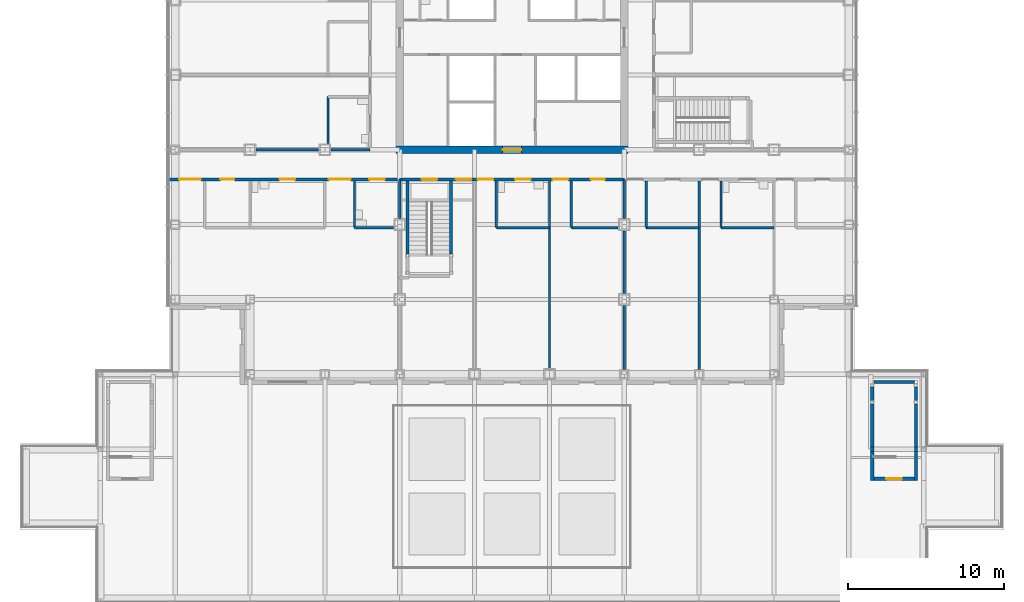
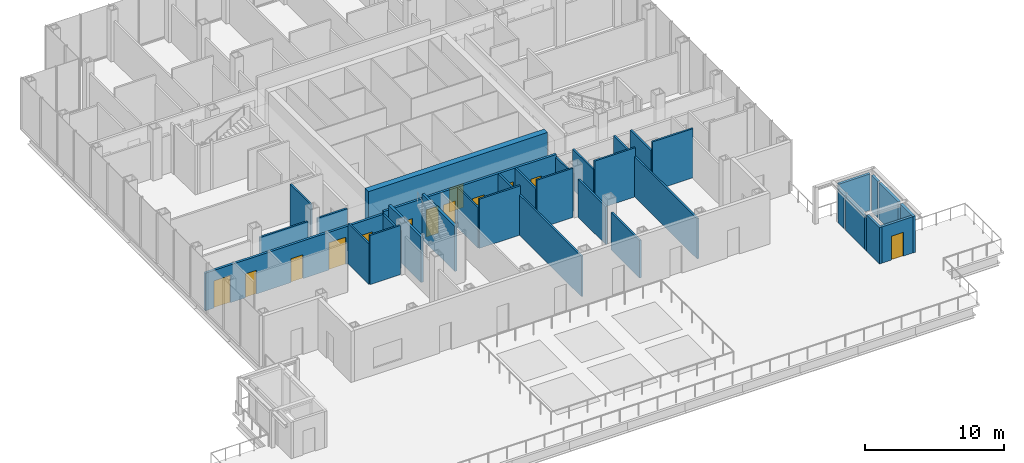
# One storey, part 16 of 24: 34 walls, 13 doors, 13 openings.
"""IFC4 building model written with IfcOpenShell, lengths in metres."""

from ifc_helpers import new_model, si_unit, direction, frame, frame_2d, origin, place, context, subcontext, project, spatial, rectangle, extrude, material, layer, layer_set, type_object, element, fill, save


model = new_model("IFC4")

# Units and contexts
model_context = context("Model", 3, precision=1e-05, world=origin(), true_north=direction((0.0, 1.0)))
body_context = subcontext(model_context, "Body", "Model", "MODEL_VIEW")
ifc_project = project(units=[si_unit("LENGTHUNIT", "METRE"), si_unit("AREAUNIT", "SQUARE_METRE"), si_unit("VOLUMEUNIT", "CUBIC_METRE"), si_unit("PLANEANGLEUNIT", "RADIAN"), si_unit("MASSUNIT", "GRAM", prefix="KILO")], contexts=[model_context])

# Site, building, storey
site_placement = place(None, origin())
site = spatial("IfcSite", under=ifc_project, at=site_placement, CompositionType="ELEMENT")
building_placement = place(site_placement, origin())
building = spatial("IfcBuilding", under=site, at=building_placement, Name="Kvirike Care Tower", CompositionType="ELEMENT")
storey_placement = place(building_placement, frame((0.0, 0.0, 22.5)))
storey = spatial("IfcBuildingStorey", under=building, at=storey_placement, Name="L05", CompositionType="ELEMENT", Elevation=22.5)

# Walls
ifc_material_1 = material(Name="Plasterboard partition", Category="gypsum")
ifc_layer_1 = layer(ifc_material_1, 0.14990234375)
ifc_layer_set_1 = layer_set([ifc_layer_1], Name="CLINIC PARTITION 150")
wall_type_1 = type_object("IfcWallType", Name="CLINIC PARTITION 150", PredefinedType="PARTITIONING", material=ifc_layer_set_1)
wall_1_placement = place(storey_placement, frame((11.5, 23.800048828125, 0.0), z_axis=(0.0, 0.0, 1.0), x_axis=(0.0, 1.0, 0.0)))
element("IfcWall", 1, at=wall_1_placement, inside=storey, type_object=wall_type_1, Name="Clinic Partition 150 L05", PredefinedType="PARTITIONING", context=body_context, shape_type="SweptSolid", body=[
    extrude(rectangle(XDim=3.0, YDim=0.14990234375, at=frame_2d((1.5, 0.0))), origin(), (0.0, 0.0, 1.0), 3.550048828125),
])
wall_2_placement = place(storey_placement, frame((11.5, 23.800048828125, 0.0), z_axis=(0.0, 0.0, 1.0), x_axis=(1.0, 0.0, 0.0)))
element("IfcWall", 2, at=wall_2_placement, inside=storey, type_object=wall_type_1, Name="Clinic Partition 150 L05", PredefinedType="PARTITIONING", context=body_context, shape_type="SweptSolid", body=[
    extrude(rectangle(XDim=2.5048828125, YDim=0.14990234375, at=frame_2d((1.25244140625, 0.0))), origin(), (0.0, 0.0, 1.0), 4.330078125),
])
wall_3_placement = place(storey_placement, frame((9.800048828125, 32.199951171875, 0.0), z_axis=(0.0, 0.0, 1.0), x_axis=(0.0, -1.0, 0.0)))
element("IfcWall", 3, at=wall_3_placement, inside=storey, type_object=wall_type_1, Name="Clinic Partition 150 L05", PredefinedType="PARTITIONING", context=body_context, shape_type="SweptSolid", body=[
    extrude(rectangle(XDim=3.0048828125, YDim=0.14990234375, at=frame_2d((1.50244140625, 0.0))), origin(), (0.0, 0.0, 1.0), 4.330078125),
])
wall_4_placement = place(storey_placement, frame((20.60009765625, 23.800048828125, 0.0), z_axis=(0.0, 0.0, 1.0), x_axis=(0.0, 1.0, 0.0)))
element("IfcWall", 4, at=wall_4_placement, inside=storey, type_object=wall_type_1, Name="Clinic Partition 150 L05", PredefinedType="PARTITIONING", context=body_context, shape_type="SweptSolid", body=[
    extrude(rectangle(XDim=3.0, YDim=0.14990234375, at=frame_2d((1.5, 0.0))), origin(), (0.0, 0.0, 1.0), 3.550048828125),
])
wall_5_placement = place(storey_placement, frame((20.60009765625, 23.800048828125, 0.0), z_axis=(0.0, 0.0, 1.0), x_axis=(1.0, 0.0, 0.0)))
element("IfcWall", 5, at=wall_5_placement, inside=storey, type_object=wall_type_1, Name="Clinic Partition 150 L05", PredefinedType="PARTITIONING", context=body_context, shape_type="SweptSolid", body=[
    extrude(rectangle(XDim=3.39990234375, YDim=0.14990234375, at=frame_2d((1.699951171875, 0.0))), origin(), (0.0, 0.0, 1.0), 4.330078125),
])
wall_6_placement = place(storey_placement, frame((25.39990234375, 23.800048828125, 0.0), z_axis=(0.0, 0.0, 1.0), x_axis=(0.0, 1.0, 0.0)))
element("IfcWall", 6, at=wall_6_placement, inside=storey, type_object=wall_type_1, Name="Clinic Partition 150 L05", PredefinedType="PARTITIONING", context=body_context, shape_type="SweptSolid", body=[
    extrude(rectangle(XDim=3.0, YDim=0.14990234375, at=frame_2d((1.5, 0.0))), origin(), (0.0, 0.0, 1.0), 3.550048828125),
])
wall_7_placement = place(storey_placement, frame((25.39990234375, 23.800048828125, 0.0), z_axis=(0.0, 0.0, 1.0), x_axis=(1.0, 0.0, 0.0)))
element("IfcWall", 7, at=wall_7_placement, inside=storey, type_object=wall_type_1, Name="Clinic Partition 150 L05", PredefinedType="PARTITIONING", context=body_context, shape_type="SweptSolid", body=[
    extrude(rectangle(XDim=3.005126953125, YDim=0.14990234375, at=frame_2d((1.50244140625, 0.0))), origin(), (0.0, 0.0, 1.0), 4.330078125),
])
wall_8_placement = place(storey_placement, frame((24.0, 14.794921875, 0.0), z_axis=(0.0, 0.0, 1.0), x_axis=(0.0, 1.0, 0.0)))
element("IfcWall", 8, at=wall_8_placement, inside=storey, type_object=wall_type_1, Name="Clinic Partition 150 L05", PredefinedType="PARTITIONING", context=body_context, shape_type="SweptSolid", body=[
    extrude(rectangle(XDim=12.005126953125, YDim=0.14990234375, at=frame_2d((6.00244140625, 0.0))), origin(), (0.0, 0.0, 1.0), 3.550048828125),
])
wall_9_placement = place(storey_placement, frame((30.199951171875, 23.800048828125, 0.0), z_axis=(0.0, 0.0, 1.0), x_axis=(0.0, 1.0, 0.0)))
element("IfcWall", 9, at=wall_9_placement, inside=storey, type_object=wall_type_1, Name="Clinic Partition 150 L05", PredefinedType="PARTITIONING", context=body_context, shape_type="SweptSolid", body=[
    extrude(rectangle(XDim=3.0, YDim=0.14990234375, at=frame_2d((1.5, 0.0))), origin(), (0.0, 0.0, 1.0), 3.550048828125),
])
wall_10_placement = place(storey_placement, frame((30.199951171875, 23.800048828125, 0.0), z_axis=(0.0, 0.0, 1.0), x_axis=(1.0, 0.0, 0.0)))
element("IfcWall", 10, at=wall_10_placement, inside=storey, type_object=wall_type_1, Name="Clinic Partition 150 L05", PredefinedType="PARTITIONING", context=body_context, shape_type="SweptSolid", body=[
    extrude(rectangle(XDim=3.400146484375, YDim=0.14990234375, at=frame_2d((1.7001953125, 0.0))), origin(), (0.0, 0.0, 1.0), 4.330078125),
])
wall_11_placement = place(storey_placement, frame((35.0, 23.800048828125, 0.0), z_axis=(0.0, 0.0, 1.0), x_axis=(0.0, 1.0, 0.0)))
element("IfcWall", 11, at=wall_11_placement, inside=storey, type_object=wall_type_1, Name="Clinic Partition 150 L05", PredefinedType="PARTITIONING", context=body_context, shape_type="SweptSolid", body=[
    extrude(rectangle(XDim=3.0, YDim=0.14990234375, at=frame_2d((1.5, 0.0))), origin(), (0.0, 0.0, 1.0), 3.550048828125),
])
wall_12_placement = place(storey_placement, frame((35.0, 23.800048828125, 0.0), z_axis=(0.0, 0.0, 1.0), x_axis=(1.0, 0.0, 0.0)))
element("IfcWall", 12, at=wall_12_placement, inside=storey, type_object=wall_type_1, Name="Clinic Partition 150 L05", PredefinedType="PARTITIONING", context=body_context, shape_type="SweptSolid", body=[
    extrude(rectangle(XDim=3.39990234375, YDim=0.14990234375, at=frame_2d((1.699951171875, 0.0))), origin(), (0.0, 0.0, 1.0), 4.330078125),
])
wall_13_placement = place(storey_placement, frame((33.60009765625, 14.719970703125, 0.0), z_axis=(0.0, 0.0, 1.0), x_axis=(0.0, 1.0, 0.0)))
element("IfcWall", 13, at=wall_13_placement, inside=storey, type_object=wall_type_1, Name="Clinic Partition 150 L05", PredefinedType="PARTITIONING", context=body_context, shape_type="SweptSolid", body=[
    extrude(rectangle(XDim=12.080078125, YDim=0.14990234375, at=frame_2d((6.0400390625, 0.0))), origin(), (0.0, 0.0, 1.0), 3.550048828125),
])
wall_14_placement = place(storey_placement, frame((12.5, 28.800048828125, 0.0), z_axis=(0.0, 0.0, 1.0), x_axis=(-1.0, 0.0, 0.0)))
element("IfcWall", 14, at=wall_14_placement, inside=storey, type_object=wall_type_1, Name="Clinic Partition 150 L05", PredefinedType="PARTITIONING", context=body_context, shape_type="SweptSolid", body=[
    extrude(rectangle(XDim=2.5048828125, YDim=0.14990234375, at=frame_2d((1.25244140625, 0.0))), origin(), (0.0, 0.0, 1.0), 3.320068359375),
])
wall_15_placement = place(storey_placement, frame((9.205078125, 28.800048828125, 0.0), z_axis=(0.0, 0.0, 1.0), x_axis=(-1.0, 0.0, 0.0)))
element("IfcWall", 15, at=wall_15_placement, inside=storey, type_object=wall_type_1, Name="Clinic Partition 150 L05", PredefinedType="PARTITIONING", context=body_context, shape_type="SweptSolid", body=[
    extrude(rectangle(XDim=4.010009765625, YDim=0.14990234375, at=frame_2d((2.0048828125, 0.0))), origin(), (0.0, 0.0, 1.0), 3.320068359375),
])
wall_16_placement = place(storey_placement, frame((14.39990234375, 24.39501953125, 0.0), z_axis=(0.0, 0.0, 1.0), x_axis=(0.0, 1.0, 0.0)))
element("IfcWall", 16, at=wall_16_placement, inside=storey, type_object=wall_type_1, Name="Clinic Partition 150 L05", PredefinedType="PARTITIONING", context=body_context, shape_type="SweptSolid", body=[
    extrude(rectangle(XDim=2.5048828125, YDim=0.14990234375, at=frame_2d((1.25244140625, 0.0))), origin(), (0.0, 0.0, 1.0), 3.320068359375),
])
wall_17_placement = place(storey_placement, frame((28.800048828125, 14.719970703125, 0.0), z_axis=(0.0, 0.0, 1.0), x_axis=(0.0, 1.0, 0.0)))
element("IfcWall", 17, at=wall_17_placement, inside=storey, type_object=wall_type_1, Name="Clinic Partition 150 L05", PredefinedType="PARTITIONING", context=body_context, shape_type="SweptSolid", body=[
    extrude(rectangle(XDim=4.0849609375, YDim=0.14990234375, at=frame_2d((2.04248046875, 0.0))), origin(), (0.0, 0.0, 1.0), 3.320068359375),
])
wall_18_placement = place(storey_placement, frame((28.800048828125, 19.594970703125, 0.0), z_axis=(0.0, 0.0, 1.0), x_axis=(0.0, 1.0, 0.0)))
element("IfcWall", 18, at=wall_18_placement, inside=storey, type_object=wall_type_1, Name="Clinic Partition 150 L05", PredefinedType="PARTITIONING", context=body_context, shape_type="SweptSolid", body=[
    extrude(rectangle(XDim=4.010009765625, YDim=0.14990234375, at=frame_2d((2.0048828125, 0.0))), origin(), (0.0, 0.0, 1.0), 3.320068359375),
])
wall_19_placement = place(storey_placement, frame((28.800048828125, 24.39501953125, 0.0), z_axis=(0.0, 0.0, 1.0), x_axis=(0.0, 1.0, 0.0)))
element("IfcWall", 19, at=wall_19_placement, inside=storey, type_object=wall_type_1, Name="Clinic Partition 150 L05", PredefinedType="PARTITIONING", context=body_context, shape_type="SweptSolid", body=[
    extrude(rectangle(XDim=2.5048828125, YDim=0.14990234375, at=frame_2d((1.25244140625, 0.0))), origin(), (0.0, 0.0, 1.0), 3.320068359375),
])

# Wall, opening, door
ifc_material_2 = material(Name="Concrete C60/75", Category="concrete")
ifc_layer_2 = layer(ifc_material_2, 0.5)
ifc_layer_set_2 = layer_set([ifc_layer_2], Name="CORE WALL 500 C60-75")
wall_type_2 = type_object("IfcWallType", Name="CORE WALL 500 C60-75", PredefinedType="SHEAR", material=ifc_layer_set_2)
wall_20_placement = place(storey_placement, frame((14.14990234375, 28.800048828125, -0.169921875), z_axis=(0.0, 0.0, 1.0), x_axis=(1.0, 0.0, 0.0)))
wall_20 = element("IfcWall", 20, at=wall_20_placement, inside=storey, type_object=wall_type_2, Name="Core wall S L05", PredefinedType="SHEAR", context=body_context, shape_type="SweptSolid", body=[
    extrude(rectangle(XDim=14.900146484375, YDim=0.5, at=frame_2d((7.4501953125, 0.0))), origin(), (0.0, 0.0, 1.0), 4.5),
])
opening_1_placement = place(wall_20_placement, frame((6.85009765625, 0.0, 0.169921875)))
opening_1 = element("IfcOpeningElement", 21, at=opening_1_placement, cuts=wall_20, Name="Opening 05-060", PredefinedType="OPENING", context=body_context, shape_type="SweptSolid", body=[
    extrude(rectangle(XDim=1.199951171875, YDim=2.10009765625, at=frame_2d((0.60009765625, 1.050048828125))), frame((0.0, 0.260498046875, 0.0), z_axis=(0.0, -1.0, 0.0), x_axis=(1.0, 0.0, 0.0)), (0.0, 0.0, 1.0), 0.52099609375),
])
ifc_material_3 = material(Name="Timber door set", Category="wood")
door_type_1 = type_object("IfcDoorType", Name="CORE DOOR 1200", OperationType="SINGLE_SWING_LEFT", PredefinedType="DOOR", material=ifc_material_3)
door_1_placement = place(opening_1_placement, origin())
door_1 = element("IfcDoor", 22, at=door_1_placement, inside=storey, type_object=door_type_1, Name="Core door S L05", OperationType="SINGLE_SWING_LEFT", OverallHeight=2.10009765625, OverallWidth=1.199951171875, PredefinedType="DOOR", context=body_context, shape_type="SweptSolid", body=[
    extrude(rectangle(XDim=1.199951171875, YDim=2.10009765625, at=frame_2d((0.60009765625, 1.050048828125))), frame((0.0, 0.02685546875, 0.0), z_axis=(0.0, -1.0, 0.0), x_axis=(1.0, 0.0, 0.0)), (0.0, 0.0, 1.0), 0.053955078125),
])
fill(opening_1, door_1)

# Wall, openings, doors
ifc_material_4 = material(Name="Plasterboard corridor wall", Category="gypsum")
ifc_layer_3 = layer(ifc_material_4, 0.199951171875)
ifc_layer_set_3 = layer_set([ifc_layer_3], Name="CORRIDOR WALL 200")
wall_type_3 = type_object("IfcWallType", Name="CORRIDOR WALL 200", PredefinedType="PARTITIONING", material=ifc_layer_set_3)
wall_21_placement = place(storey_placement, frame((-0.455078125, 26.89990234375, 0.0), z_axis=(0.0, 0.0, 1.0), x_axis=(1.0, 0.0, 0.0)))
wall_21 = element("IfcWall", 23, at=wall_21_placement, inside=storey, type_object=wall_type_3, Name="Corridor Wall 200 L05", PredefinedType="PARTITIONING", context=body_context, shape_type="SweptSolid", body=[
    extrude(rectangle(XDim=14.85498046875, YDim=0.199951171875, at=frame_2d((7.427490234375, 0.0))), origin(), (0.0, 0.0, 1.0), 3.320068359375),
])
opening_2_placement = place(wall_21_placement, frame((0.705078125, 0.0, 0.0)))
opening_2 = element("IfcOpeningElement", 24, at=opening_2_placement, cuts=wall_21, Name="Opening 05-001", PredefinedType="OPENING", context=body_context, shape_type="SweptSolid", body=[
    extrude(rectangle(XDim=1.39990234375, YDim=2.39990234375, at=frame_2d((0.699951171875, 1.199951171875))), frame((0.0, 0.110595703125, 0.0), z_axis=(0.0, -1.0, 0.0), x_axis=(1.0, 0.0, 0.0)), (0.0, 0.0, 1.0), 0.220947265625),
])
opening_3_placement = place(wall_21_placement, frame((10.304931640625, 0.0, 0.0)))
opening_3 = element("IfcOpeningElement", 25, at=opening_3_placement, cuts=wall_21, Name="Opening 05-002", PredefinedType="OPENING", context=body_context, shape_type="SweptSolid", body=[
    extrude(rectangle(XDim=1.39990234375, YDim=2.39990234375, at=frame_2d((0.699951171875, 1.199951171875))), frame((0.0, 0.110595703125, 0.0), z_axis=(0.0, -1.0, 0.0), x_axis=(1.0, 0.0, 0.0)), (0.0, 0.0, 1.0), 0.220947265625),
])
opening_4_placement = place(wall_21_placement, frame((3.35498046875, 0.0, 0.0)))
opening_4 = element("IfcOpeningElement", 26, at=opening_4_placement, cuts=wall_21, Name="Opening 05-003", PredefinedType="OPENING", context=body_context, shape_type="SweptSolid", body=[
    extrude(rectangle(XDim=0.89990234375, YDim=2.10009765625, at=frame_2d((0.449951171875, 1.050048828125))), frame((0.0, 0.110595703125, 0.0), z_axis=(0.0, -1.0, 0.0), x_axis=(1.0, 0.0, 0.0)), (0.0, 0.0, 1.0), 0.220947265625),
])
opening_5_placement = place(wall_21_placement, frame((7.155029296875, 0.0, 0.0)))
opening_5 = element("IfcOpeningElement", 27, at=opening_5_placement, cuts=wall_21, Name="Opening 05-004", PredefinedType="OPENING", context=body_context, shape_type="SweptSolid", body=[
    extrude(rectangle(XDim=1.0, YDim=2.10009765625, at=frame_2d((0.5, 1.050048828125))), frame((0.0, 0.110595703125, 0.0), z_axis=(0.0, -1.0, 0.0), x_axis=(1.0, 0.0, 0.0)), (0.0, 0.0, 1.0), 0.220947265625),
])
opening_6_placement = place(wall_21_placement, frame((12.905029296875, 0.0, 0.0)))
opening_6 = element("IfcOpeningElement", 28, at=opening_6_placement, cuts=wall_21, Name="Opening 05-005", PredefinedType="OPENING", context=body_context, shape_type="SweptSolid", body=[
    extrude(rectangle(XDim=1.0, YDim=2.10009765625, at=frame_2d((0.5, 1.050048828125))), frame((0.0, 0.110595703125, 0.0), z_axis=(0.0, -1.0, 0.0), x_axis=(1.0, 0.0, 0.0)), (0.0, 0.0, 1.0), 0.220947265625),
])
ifc_material_5 = material(Name="Timber door set", Category="wood")
door_type_2 = type_object("IfcDoorType", Name="STORE DOOR 900", OperationType="SINGLE_SWING_LEFT", PredefinedType="DOOR", material=ifc_material_5)
door_2_placement = place(opening_4_placement, frame((0.89990234375, 0.0, 0.0), z_axis=(0.0, 0.0, 1.0), x_axis=(-1.0, 0.0, 0.0)))
door_2 = element("IfcDoor", 29, at=door_2_placement, inside=storey, type_object=door_type_2, Name="Store door", OperationType="SINGLE_SWING_RIGHT", OverallHeight=2.10009765625, OverallWidth=0.89990234375, PredefinedType="DOOR", context=body_context, shape_type="SweptSolid", body=[
    extrude(rectangle(XDim=0.89990234375, YDim=2.10009765625, at=frame_2d((0.449951171875, 1.050048828125))), frame((0.0, 0.02685546875, 0.0), z_axis=(0.0, -1.0, 0.0), x_axis=(1.0, 0.0, 0.0)), (0.0, 0.0, 1.0), 0.053955078125),
])
fill(opening_4, door_2)
ifc_material_6 = material(Name="Timber door set", Category="wood")
door_type_3 = type_object("IfcDoorType", Name="TREATMENT ROOM DOOR 1400", OperationType="DOUBLE_DOOR_SINGLE_SWING", PredefinedType="DOOR", material=ifc_material_6)
door_3_placement = place(opening_2_placement, frame((1.39990234375, 0.0, 0.0), z_axis=(0.0, 0.0, 1.0), x_axis=(-1.0, 0.0, 0.0)))
door_3 = element("IfcDoor", 30, at=door_3_placement, inside=storey, type_object=door_type_3, Name="Rehabilitation lounge door", OperationType="DOUBLE_DOOR_SINGLE_SWING", OverallHeight=2.39990234375, OverallWidth=1.39990234375, PredefinedType="DOOR", context=body_context, shape_type="SweptSolid", body=[
    extrude(rectangle(XDim=1.39990234375, YDim=2.39990234375, at=frame_2d((0.699951171875, 1.199951171875))), frame((0.0, 0.02685546875, 0.0), z_axis=(0.0, -1.0, 0.0), x_axis=(1.0, 0.0, 0.0)), (0.0, 0.0, 1.0), 0.053955078125),
])
fill(opening_2, door_3)
door_4_placement = place(opening_3_placement, frame((1.39990234375, 0.0, 0.0), z_axis=(0.0, 0.0, 1.0), x_axis=(-1.0, 0.0, 0.0)))
door_4 = element("IfcDoor", 31, at=door_4_placement, inside=storey, type_object=door_type_3, Name="Rehabilitation lounge door", OperationType="DOUBLE_DOOR_SINGLE_SWING", OverallHeight=2.39990234375, OverallWidth=1.39990234375, PredefinedType="DOOR", context=body_context, shape_type="SweptSolid", body=[
    extrude(rectangle(XDim=1.39990234375, YDim=2.39990234375, at=frame_2d((0.699951171875, 1.199951171875))), frame((0.0, 0.02685546875, 0.0), z_axis=(0.0, -1.0, 0.0), x_axis=(1.0, 0.0, 0.0)), (0.0, 0.0, 1.0), 0.053955078125),
])
fill(opening_3, door_4)
ifc_material_7 = material(Name="Timber door set", Category="wood")
door_type_4 = type_object("IfcDoorType", Name="WC DOOR 1000", OperationType="SINGLE_SWING_LEFT", PredefinedType="DOOR", material=ifc_material_7)
door_5_placement = place(opening_5_placement, frame((1.0, 0.0, 0.0), z_axis=(0.0, 0.0, 1.0), x_axis=(-1.0, 0.0, 0.0)))
door_5 = element("IfcDoor", 32, at=door_5_placement, inside=storey, type_object=door_type_4, Name="Accessible WC door", OperationType="SINGLE_SWING_RIGHT", OverallHeight=2.10009765625, OverallWidth=1.0, PredefinedType="DOOR", context=body_context, shape_type="SweptSolid", body=[
    extrude(rectangle(XDim=1.0, YDim=2.10009765625, at=frame_2d((0.5, 1.050048828125))), frame((0.0, 0.02685546875, 0.0), z_axis=(0.0, -1.0, 0.0), x_axis=(1.0, 0.0, 0.0)), (0.0, 0.0, 1.0), 0.053955078125),
])
fill(opening_5, door_5)
door_6_placement = place(opening_6_placement, frame((1.0, 0.0, 0.0), z_axis=(0.0, 0.0, 1.0), x_axis=(-1.0, 0.0, 0.0)))
door_6 = element("IfcDoor", 33, at=door_6_placement, inside=storey, type_object=door_type_4, Name="Staff WC door", OperationType="SINGLE_SWING_LEFT", OverallHeight=2.10009765625, OverallWidth=1.0, PredefinedType="DOOR", context=body_context, shape_type="SweptSolid", body=[
    extrude(rectangle(XDim=1.0, YDim=2.10009765625, at=frame_2d((0.5, 1.050048828125))), frame((0.0, 0.02685546875, 0.0), z_axis=(0.0, -1.0, 0.0), x_axis=(1.0, 0.0, 0.0)), (0.0, 0.0, 1.0), 0.053955078125),
])
fill(opening_6, door_6)

wall_22_placement = place(storey_placement, frame((14.39990234375, 26.89990234375, 0.0), z_axis=(0.0, 0.0, 1.0), x_axis=(1.0, 0.0, 0.0)))
wall_22 = element("IfcWall", 34, at=wall_22_placement, inside=storey, type_object=wall_type_3, Name="Corridor Wall 200 L05", PredefinedType="PARTITIONING", context=body_context, shape_type="SweptSolid", body=[
    extrude(rectangle(XDim=14.400146484375, YDim=0.199951171875, at=frame_2d((7.2001953125, 0.0))), origin(), (0.0, 0.0, 1.0), 3.550048828125),
])
opening_7_placement = place(wall_22_placement, frame((1.39990234375, 0.0, 0.0)))
opening_7 = element("IfcOpeningElement", 35, at=opening_7_placement, cuts=wall_22, Name="Opening 05-017", PredefinedType="OPENING", context=body_context, shape_type="SweptSolid", body=[
    extrude(rectangle(XDim=1.0, YDim=2.10009765625, at=frame_2d((0.5, 1.050048828125))), frame((0.0, 0.110595703125, 0.0), z_axis=(0.0, -1.0, 0.0), x_axis=(1.0, 0.0, 0.0)), (0.0, 0.0, 1.0), 0.220947265625),
])
opening_8_placement = place(wall_22_placement, frame((3.60009765625, 0.0, 0.0)))
opening_8 = element("IfcOpeningElement", 36, at=opening_8_placement, cuts=wall_22, Name="Opening 05-018", PredefinedType="OPENING", context=body_context, shape_type="SweptSolid", body=[
    extrude(rectangle(XDim=1.0, YDim=2.39990234375, at=frame_2d((0.5, 1.199951171875))), frame((0.0, 0.110595703125, 0.0), z_axis=(0.0, -1.0, 0.0), x_axis=(1.0, 0.0, 0.0)), (0.0, 0.0, 1.0), 0.220947265625),
])
opening_9_placement = place(wall_22_placement, frame((5.0, 0.0, 0.0)))
opening_9 = element("IfcOpeningElement", 37, at=opening_9_placement, cuts=wall_22, Name="Opening 05-019", PredefinedType="OPENING", context=body_context, shape_type="SweptSolid", body=[
    extrude(rectangle(XDim=1.0, YDim=2.39990234375, at=frame_2d((0.5, 1.199951171875))), frame((0.0, 0.110595703125, 0.0), z_axis=(0.0, -1.0, 0.0), x_axis=(1.0, 0.0, 0.0)), (0.0, 0.0, 1.0), 0.220947265625),
])
opening_10_placement = place(wall_22_placement, frame((9.800048828125, 0.0, 0.0)))
opening_10 = element("IfcOpeningElement", 38, at=opening_10_placement, cuts=wall_22, Name="Opening 05-020", PredefinedType="OPENING", context=body_context, shape_type="SweptSolid", body=[
    extrude(rectangle(XDim=1.0, YDim=2.39990234375, at=frame_2d((0.5, 1.199951171875))), frame((0.0, 0.110595703125, 0.0), z_axis=(0.0, -1.0, 0.0), x_axis=(1.0, 0.0, 0.0)), (0.0, 0.0, 1.0), 0.220947265625),
])
opening_11_placement = place(wall_22_placement, frame((7.39990234375, 0.0, 0.0)))
opening_11 = element("IfcOpeningElement", 39, at=opening_11_placement, cuts=wall_22, Name="Opening 05-021", PredefinedType="OPENING", context=body_context, shape_type="SweptSolid", body=[
    extrude(rectangle(XDim=1.0, YDim=2.10009765625, at=frame_2d((0.5, 1.050048828125))), frame((0.0, 0.110595703125, 0.0), z_axis=(0.0, -1.0, 0.0), x_axis=(1.0, 0.0, 0.0)), (0.0, 0.0, 1.0), 0.220947265625),
])
opening_12_placement = place(wall_22_placement, frame((12.25, 0.0, 0.0)))
opening_12 = element("IfcOpeningElement", 40, at=opening_12_placement, cuts=wall_22, Name="Opening 05-022", PredefinedType="OPENING", context=body_context, shape_type="SweptSolid", body=[
    extrude(rectangle(XDim=0.89990234375, YDim=2.10009765625, at=frame_2d((0.449951171875, 1.050048828125))), frame((0.0, 0.110595703125, 0.0), z_axis=(0.0, -1.0, 0.0), x_axis=(1.0, 0.0, 0.0)), (0.0, 0.0, 1.0), 0.220947265625),
])
ifc_material_8 = material(Name="Timber door set", Category="wood")
door_type_5 = type_object("IfcDoorType", Name="CONSULTING ROOM DOOR 1000", OperationType="SINGLE_SWING_LEFT", PredefinedType="DOOR", material=ifc_material_8)
door_7_placement = place(opening_8_placement, frame((1.0, 0.0, 0.0), z_axis=(0.0, 0.0, 1.0), x_axis=(-1.0, 0.0, 0.0)))
door_7 = element("IfcDoor", 41, at=door_7_placement, inside=storey, type_object=door_type_5, Name="Rehabilitation lounge door", OperationType="SINGLE_SWING_LEFT", OverallHeight=2.39990234375, OverallWidth=1.0, PredefinedType="DOOR", context=body_context, shape_type="SweptSolid", body=[
    extrude(rectangle(XDim=1.0, YDim=2.39990234375, at=frame_2d((0.5, 1.199951171875))), frame((0.0, 0.02685546875, 0.0), z_axis=(0.0, -1.0, 0.0), x_axis=(1.0, 0.0, 0.0)), (0.0, 0.0, 1.0), 0.053955078125),
])
fill(opening_8, door_7)
door_8_placement = place(opening_9_placement, frame((1.0, 0.0, 0.0), z_axis=(0.0, 0.0, 1.0), x_axis=(-1.0, 0.0, 0.0)))
door_8 = element("IfcDoor", 42, at=door_8_placement, inside=storey, type_object=door_type_5, Name="Therapy office door", OperationType="SINGLE_SWING_LEFT", OverallHeight=2.39990234375, OverallWidth=1.0, PredefinedType="DOOR", context=body_context, shape_type="SweptSolid", body=[
    extrude(rectangle(XDim=1.0, YDim=2.39990234375, at=frame_2d((0.5, 1.199951171875))), frame((0.0, 0.02685546875, 0.0), z_axis=(0.0, -1.0, 0.0), x_axis=(1.0, 0.0, 0.0)), (0.0, 0.0, 1.0), 0.053955078125),
])
fill(opening_9, door_8)
door_9_placement = place(opening_10_placement, frame((1.0, 0.0, 0.0), z_axis=(0.0, 0.0, 1.0), x_axis=(-1.0, 0.0, 0.0)))
door_9 = element("IfcDoor", 43, at=door_9_placement, inside=storey, type_object=door_type_5, Name="Therapy office door", OperationType="SINGLE_SWING_LEFT", OverallHeight=2.39990234375, OverallWidth=1.0, PredefinedType="DOOR", context=body_context, shape_type="SweptSolid", body=[
    extrude(rectangle(XDim=1.0, YDim=2.39990234375, at=frame_2d((0.5, 1.199951171875))), frame((0.0, 0.02685546875, 0.0), z_axis=(0.0, -1.0, 0.0), x_axis=(1.0, 0.0, 0.0)), (0.0, 0.0, 1.0), 0.053955078125),
])
fill(opening_10, door_9)
ifc_material_9 = material(Name="Timber door set", Category="wood")
door_type_6 = type_object("IfcDoorType", Name="STAIR DOOR 1000", OperationType="SINGLE_SWING_LEFT", PredefinedType="DOOR", material=ifc_material_9)
door_10_placement = place(opening_7_placement, frame((1.0, 0.0, 0.0), z_axis=(0.0, 0.0, 1.0), x_axis=(-1.0, 0.0, 0.0)))
door_10 = element("IfcDoor", 44, at=door_10_placement, inside=storey, type_object=door_type_6, Name="Stair 5 door", OperationType="SINGLE_SWING_LEFT", OverallHeight=2.10009765625, OverallWidth=1.0, PredefinedType="DOOR", context=body_context, shape_type="SweptSolid", body=[
    extrude(rectangle(XDim=1.0, YDim=2.10009765625, at=frame_2d((0.5, 1.050048828125))), frame((0.0, 0.031982421875, 0.0), z_axis=(0.0, -1.0, 0.0), x_axis=(1.0, 0.0, 0.0)), (0.0, 0.0, 1.0), 0.06396484375),
])
fill(opening_7, door_10)
door_11_placement = place(opening_12_placement, frame((0.89990234375, 0.0, 0.0), z_axis=(0.0, 0.0, 1.0), x_axis=(-1.0, 0.0, 0.0)))
door_11 = element("IfcDoor", 45, at=door_11_placement, inside=storey, type_object=door_type_2, Name="Store door", OperationType="SINGLE_SWING_RIGHT", OverallHeight=2.10009765625, OverallWidth=0.89990234375, PredefinedType="DOOR", context=body_context, shape_type="SweptSolid", body=[
    extrude(rectangle(XDim=0.89990234375, YDim=2.10009765625, at=frame_2d((0.449951171875, 1.050048828125))), frame((0.0, 0.02685546875, 0.0), z_axis=(0.0, -1.0, 0.0), x_axis=(1.0, 0.0, 0.0)), (0.0, 0.0, 1.0), 0.053955078125),
])
fill(opening_12, door_11)
door_12_placement = place(opening_11_placement, frame((1.0, 0.0, 0.0), z_axis=(0.0, 0.0, 1.0), x_axis=(-1.0, 0.0, 0.0)))
door_12 = element("IfcDoor", 46, at=door_12_placement, inside=storey, type_object=door_type_4, Name="Accessible WC door", OperationType="SINGLE_SWING_RIGHT", OverallHeight=2.10009765625, OverallWidth=1.0, PredefinedType="DOOR", context=body_context, shape_type="SweptSolid", body=[
    extrude(rectangle(XDim=1.0, YDim=2.10009765625, at=frame_2d((0.5, 1.050048828125))), frame((0.0, 0.02685546875, 0.0), z_axis=(0.0, -1.0, 0.0), x_axis=(1.0, 0.0, 0.0)), (0.0, 0.0, 1.0), 0.053955078125),
])
fill(opening_11, door_12)

# Walls
ifc_material_10 = material(Name="Concrete C40/50", Category="concrete")
ifc_layer_4 = layer(ifc_material_10, 0.199951171875)
ifc_layer_set_4 = layer_set([ifc_layer_4], Name="STAIR WALL 200")
wall_type_4 = type_object("IfcWallType", Name="STAIR WALL 200", PredefinedType="SOLIDWALL", material=ifc_layer_set_4)
for number, where, z_axis, x_axis, name in (
    (47, (14.89990234375, 22.10009765625, 0.0), (0.0, 0.0, 1.0), (0.0, 1.0, 0.0), "Stair Wall 200 L05"),
    (48, (17.699951171875, 22.10009765625, 0.0), (0.0, 0.0, 1.0), (0.0, 1.0, 0.0), "Stair Wall 200 L05"),
):
    element("IfcWall", number, at=place(storey_placement, frame(where, z_axis=z_axis, x_axis=x_axis)), inside=storey, type_object=wall_type_4, Name=name, PredefinedType="SOLIDWALL", context=body_context, shape_type="SweptSolid", body=[
        extrude(rectangle(XDim=4.699951171875, YDim=0.199951171875, at=frame_2d((2.35009765625, 0.0))), origin(), (0.0, 0.0, 1.0), 3.989990234375),
    ])
wall_23_placement = place(storey_placement, frame((44.699951171875, 7.60009765625, 0.0), z_axis=(0.0, 0.0, 1.0), x_axis=(0.0, 1.0, 0.0)))
element("IfcWall", 49, at=wall_23_placement, inside=storey, type_object=wall_type_4, Name="Stair Wall 200 L05", PredefinedType="SOLIDWALL", context=body_context, shape_type="SweptSolid", body=[
    extrude(rectangle(XDim=1.849853515625, YDim=0.199951171875, at=frame_2d((0.9248046875, 0.0))), origin(), (0.0, 0.0, 1.0), 3.199951171875),
])
wall_24_placement = place(storey_placement, frame((44.699951171875, 9.449951171875, 0.0), z_axis=(0.0, 0.0, 1.0), x_axis=(0.0, 1.0, 0.0)))
element("IfcWall", 50, at=wall_24_placement, inside=storey, type_object=wall_type_4, Name="Stair Wall 200 L05", PredefinedType="SOLIDWALL", context=body_context, shape_type="SweptSolid", body=[
    extrude(rectangle(XDim=0.300048828125, YDim=0.199951171875, at=frame_2d((0.14990234375, 0.0))), origin(), (0.0, 0.0, 1.0), 2.89990234375),
])
wall_25_placement = place(storey_placement, frame((44.699951171875, 9.75, 0.0), z_axis=(0.0, 0.0, 1.0), x_axis=(0.0, 1.0, 0.0)))
element("IfcWall", 51, at=wall_25_placement, inside=storey, type_object=wall_type_4, Name="Stair Wall 200 L05", PredefinedType="SOLIDWALL", context=body_context, shape_type="SweptSolid", body=[
    extrude(rectangle(XDim=2.75, YDim=0.199951171875, at=frame_2d((1.375, 0.0))), origin(), (0.0, 0.0, 1.0), 2.89990234375),
])
wall_26_placement = place(storey_placement, frame((44.699951171875, 12.699951171875, 0.0), z_axis=(0.0, 0.0, 1.0), x_axis=(0.0, 1.0, 0.0)))
element("IfcWall", 52, at=wall_26_placement, inside=storey, type_object=wall_type_4, Name="Stair Wall 200 L05", PredefinedType="SOLIDWALL", context=body_context, shape_type="SweptSolid", body=[
    extrude(rectangle(XDim=0.900146484375, YDim=0.199951171875, at=frame_2d((0.4501953125, 0.0))), origin(), (0.0, 0.0, 1.0), 2.89990234375),
])
wall_27_placement = place(storey_placement, frame((47.5, 7.60009765625, 0.0), z_axis=(0.0, 0.0, 1.0), x_axis=(0.0, 1.0, 0.0)))
element("IfcWall", 53, at=wall_27_placement, inside=storey, type_object=wall_type_4, Name="Stair Wall 200 L05", PredefinedType="SOLIDWALL", context=body_context, shape_type="SweptSolid", body=[
    extrude(rectangle(XDim=1.849853515625, YDim=0.199951171875, at=frame_2d((0.9248046875, 0.0))), origin(), (0.0, 0.0, 1.0), 3.199951171875),
])
wall_28_placement = place(storey_placement, frame((47.5, 9.449951171875, 0.0), z_axis=(0.0, 0.0, 1.0), x_axis=(0.0, 1.0, 0.0)))
element("IfcWall", 54, at=wall_28_placement, inside=storey, type_object=wall_type_4, Name="Stair Wall 200 L05", PredefinedType="SOLIDWALL", context=body_context, shape_type="SweptSolid", body=[
    extrude(rectangle(XDim=0.300048828125, YDim=0.199951171875, at=frame_2d((0.14990234375, 0.0))), origin(), (0.0, 0.0, 1.0), 2.89990234375),
])
wall_29_placement = place(storey_placement, frame((47.5, 9.75, 0.0), z_axis=(0.0, 0.0, 1.0), x_axis=(0.0, 1.0, 0.0)))
element("IfcWall", 55, at=wall_29_placement, inside=storey, type_object=wall_type_4, Name="Stair Wall 200 L05", PredefinedType="SOLIDWALL", context=body_context, shape_type="SweptSolid", body=[
    extrude(rectangle(XDim=2.75, YDim=0.199951171875, at=frame_2d((1.375, 0.0))), origin(), (0.0, 0.0, 1.0), 3.199951171875),
])
wall_30_placement = place(storey_placement, frame((47.5, 12.699951171875, 0.0), z_axis=(0.0, 0.0, 1.0), x_axis=(0.0, 1.0, 0.0)))
element("IfcWall", 56, at=wall_30_placement, inside=storey, type_object=wall_type_4, Name="Stair Wall 200 L05", PredefinedType="SOLIDWALL", context=body_context, shape_type="SweptSolid", body=[
    extrude(rectangle(XDim=0.900146484375, YDim=0.199951171875, at=frame_2d((0.4501953125, 0.0))), origin(), (0.0, 0.0, 1.0), 3.199951171875),
])
wall_31_placement = place(storey_placement, frame((44.800048828125, 13.89990234375, 0.0), z_axis=(0.0, 0.0, 1.0), x_axis=(1.0, 0.0, 0.0)))
element("IfcWall", 57, at=wall_31_placement, inside=storey, type_object=wall_type_4, Name="Stair Wall 200 L05", PredefinedType="SOLIDWALL", context=body_context, shape_type="SweptSolid", body=[
    extrude(rectangle(XDim=2.599853515625, YDim=0.199951171875, at=frame_2d((1.2998046875, 0.0))), origin(), (0.0, 0.0, 1.0), 3.199951171875),
])

# Wall, opening, door
wall_32_placement = place(storey_placement, frame((44.800048828125, 7.699951171875, 0.0), z_axis=(0.0, 0.0, 1.0), x_axis=(1.0, 0.0, 0.0)))
wall_32 = element("IfcWall", 58, at=wall_32_placement, inside=storey, type_object=wall_type_4, Name="Stair Wall 200 L05", PredefinedType="SOLIDWALL", context=body_context, shape_type="SweptSolid", body=[
    extrude(rectangle(XDim=2.599853515625, YDim=0.199951171875, at=frame_2d((1.2998046875, 0.0))), origin(), (0.0, 0.0, 1.0), 3.199951171875),
])
opening_13_placement = place(wall_32_placement, frame((0.800048828125, 0.0, 0.0)))
opening_13 = element("IfcOpeningElement", 59, at=opening_13_placement, cuts=wall_32, Name="Opening 05-048", PredefinedType="OPENING", context=body_context, shape_type="SweptSolid", body=[
    extrude(rectangle(XDim=1.0, YDim=2.10009765625, at=frame_2d((0.5, 1.050048828125))), frame((0.0, 0.110595703125, 0.0), z_axis=(0.0, -1.0, 0.0), x_axis=(1.0, 0.0, 0.0)), (0.0, 0.0, 1.0), 0.220947265625),
])
door_13_placement = place(opening_13_placement, origin())
door_13 = element("IfcDoor", 60, at=door_13_placement, inside=storey, type_object=door_type_6, Name="Stair 4 terrace door", OperationType="SINGLE_SWING_LEFT", OverallHeight=2.10009765625, OverallWidth=1.0, PredefinedType="DOOR", context=body_context, shape_type="SweptSolid", body=[
    extrude(rectangle(XDim=1.0, YDim=2.10009765625, at=frame_2d((0.5, 1.050048828125))), frame((0.0, 0.031982421875, 0.0), z_axis=(0.0, -1.0, 0.0), x_axis=(1.0, 0.0, 0.0)), (0.0, 0.0, 1.0), 0.06396484375),
])
fill(opening_13, door_13)

save(model, "model.ifc")
